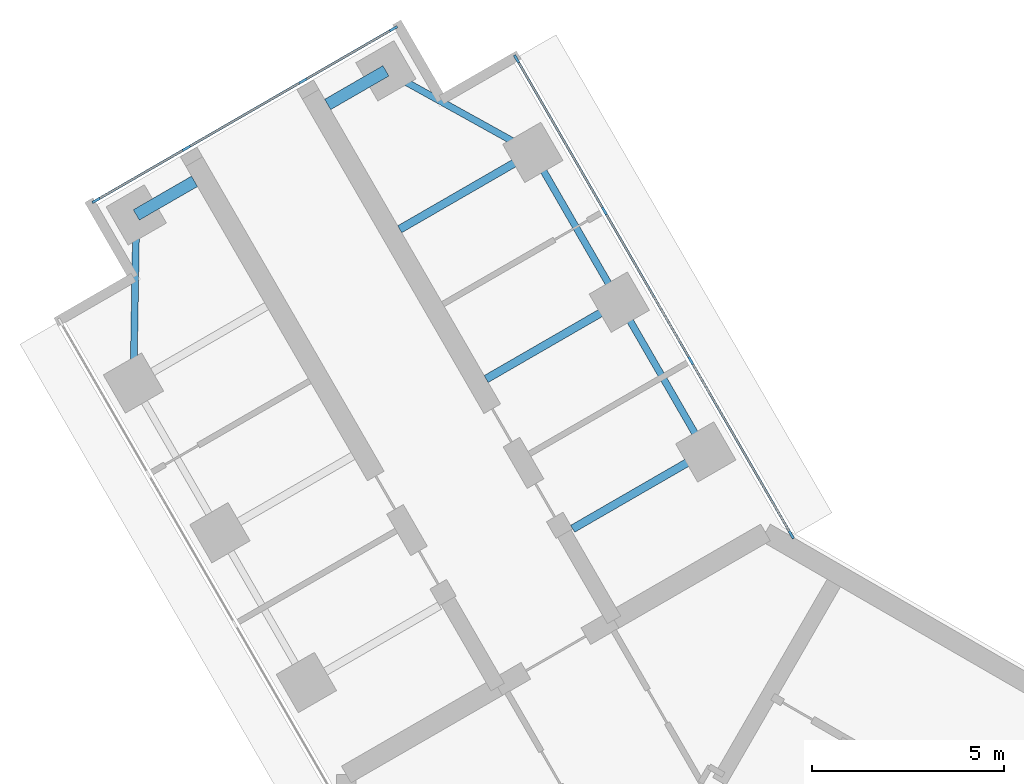
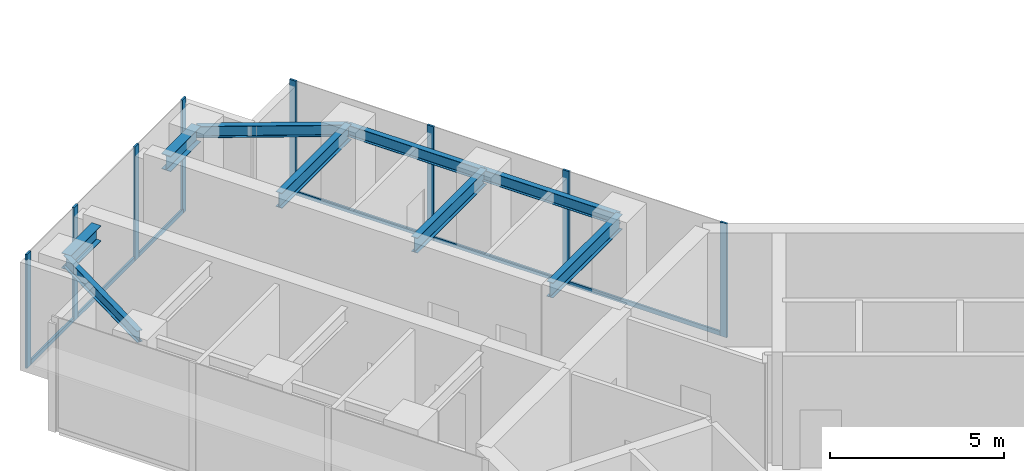
# One storey, part 6 of 17: 14 members, 9 beams, 2 elements without a shape of their own.
"""IFC4 building model written with IfcOpenShell, lengths in metres."""

from ifc_helpers import new_model, si_unit, direction, frame, origin, origin_2d, place, context, subcontext, project, spatial, rectangle, i_section, extrude, material, material_profile, profile_set, type_object, element, aggregate, save


model = new_model("IFC4")

# Units and contexts
model_context = context("Model", 3, precision=1e-05, world=origin(), true_north=direction((0.0, 1.0)))
body_context = subcontext(model_context, "Body", "Model", "MODEL_VIEW")
ifc_project = project(units=[si_unit("LENGTHUNIT", "METRE"), si_unit("AREAUNIT", "SQUARE_METRE"), si_unit("VOLUMEUNIT", "CUBIC_METRE"), si_unit("PLANEANGLEUNIT", "RADIAN"), si_unit("MASSUNIT", "GRAM", prefix="KILO")], contexts=[model_context])

# Site, building, storey
site_placement = place(None, origin())
site = spatial("IfcSite", under=ifc_project, at=site_placement, CompositionType="ELEMENT")
building_placement = place(site_placement, origin())
building = spatial("IfcBuilding", under=site, at=building_placement, Name="Upepo Twin Towers", CompositionType="ELEMENT")
storey_placement = place(building_placement, frame((0.0, 0.0, 202.5)))
storey = spatial("IfcBuildingStorey", under=building, at=storey_placement, Name="L49", CompositionType="ELEMENT", Elevation=202.5)

# Beams
ifc_material_1 = material(Name="Steel S355", Category="steel")
ifc_material_profile_1 = material_profile(ifc_material_1, i_section(OverallWidth=0.177978515625, OverallDepth=0.406494140625, WebThickness=0.0078125, FlangeThickness=0.0126953125, FilletRadius=0.01025390625, at=origin_2d()), Name="UB 406x178x60")
ifc_profile_set_1 = profile_set([ifc_material_profile_1], Name="Steel S355")
beam_type_1 = type_object("IfcBeamType", Name="Beam UB 406x178x60", PredefinedType="BEAM", material=ifc_profile_set_1)
beam_1_placement = place(storey_placement, frame((-16.446044921875, 16.485595703125, 3.5966796875), z_axis=(0.016803880528, 0.999858804832, 0.0), x_axis=(-0.999858804832, 0.016803880528, 0.0)))
element("IfcBeam", 1, at=beam_1_placement, inside=storey, type_object=beam_type_1, Name="T1 nose edge beam BL", PredefinedType="BEAM", context=body_context, shape_type="SweptSolid", body=[
    extrude(i_section(OverallWidth=0.177978515625, OverallDepth=0.406494140625, WebThickness=0.0078125, FlangeThickness=0.0126953125, FilletRadius=0.01025390625, at=origin_2d()), origin(), (0.0, 0.0, 1.0), 4.373291015625),
])
beam_2_placement = place(storey_placement, frame((-1.553955078125, 14.69140625, 3.5966796875), z_axis=(-0.500013631625, 0.866017533419, 0.0), x_axis=(-0.866017533419, -0.500013631625, 0.0)))
element("IfcBeam", 2, at=beam_2_placement, inside=storey, type_object=beam_type_1, Name="T1 edge beam BR 13.5-18.0", PredefinedType="BEAM", context=body_context, shape_type="SweptSolid", body=[
    extrude(i_section(OverallWidth=0.177978515625, OverallDepth=0.406494140625, WebThickness=0.0078125, FlangeThickness=0.0126953125, FilletRadius=0.01025390625, at=origin_2d()), origin(), (0.0, 0.0, 1.0), 4.499755859375),
])
beam_3_placement = place(storey_placement, frame((-3.803955078125, 18.58837890625, 3.5966796875), z_axis=(-0.499990139034, 0.866031096941, 0.0), x_axis=(-0.866031096941, -0.499990139034, 0.0)))
element("IfcBeam", 3, at=beam_3_placement, inside=storey, type_object=beam_type_1, Name="T1 edge beam BR 18.0-22.5", PredefinedType="BEAM", context=body_context, shape_type="SweptSolid", body=[
    extrude(i_section(OverallWidth=0.177978515625, OverallDepth=0.406494140625, WebThickness=0.0078125, FlangeThickness=0.0126953125, FilletRadius=0.01025390625, at=origin_2d()), origin(), (0.0, 0.0, 1.0), 4.5),
])
beam_4_placement = place(storey_placement, frame((-6.053955078125, 22.485595703125, 3.5966796875), z_axis=(-0.874312600038, 0.485363242752, 0.0), x_axis=(-0.485363242752, -0.874312600038, 0.0)))
element("IfcBeam", 4, at=beam_4_placement, inside=storey, type_object=beam_type_1, Name="T1 nose edge beam BR", PredefinedType="BEAM", context=body_context, shape_type="SweptSolid", body=[
    extrude(i_section(OverallWidth=0.177978515625, OverallDepth=0.406494140625, WebThickness=0.0078125, FlangeThickness=0.0126953125, FilletRadius=0.01025390625, at=origin_2d()), origin(), (0.0, 0.0, 1.0), 4.373046875),
])
ifc_material_2 = material(Name="Steel S355", Category="steel")
ifc_material_profile_2 = material_profile(ifc_material_2, i_section(OverallWidth=0.209228515625, OverallDepth=0.533203125, WebThickness=0.010009765625, FlangeThickness=0.015625, FilletRadius=0.0126953125, at=origin_2d()), Name="UB 533x210x92")
ifc_profile_set_2 = profile_set([ifc_material_profile_2], Name="Steel S355")
beam_type_2 = type_object("IfcBeamType", Name="Beam UB 533x210x92", PredefinedType="BEAM", material=ifc_profile_set_2)
for number, where, z_axis, x_axis, name in (
    (5, (-1.553955078125, 14.69140625, 3.533447265625), (-0.866026010844, -0.49999894854, 0.0), (0.49999894854, -0.866026010844, 0.0), "T1 girder BR at 13.5"),
    (6, (-3.803955078125, 18.58837890625, 3.533447265625), (-0.866026010844, -0.49999894854, 0.0), (0.49999894854, -0.866026010844, 0.0), "T1 girder BR at 18.0"),
    (7, (-6.053955078125, 22.485595703125, 3.533447265625), (-0.866026010844, -0.49999894854, 0.0), (0.49999894854, -0.866026010844, 0.0), "T1 girder BR at 22.5"),
):
    element("IfcBeam", number, at=place(storey_placement, frame(where, z_axis=z_axis, x_axis=x_axis)), inside=storey, type_object=beam_type_2, Name=name, PredefinedType="BEAM", context=body_context, shape_type="SweptSolid", body=[
        extrude(i_section(OverallWidth=0.209228515625, OverallDepth=0.533203125, WebThickness=0.010009765625, FlangeThickness=0.015625, FilletRadius=0.0126953125, at=origin_2d()), origin(), (0.0, 0.0, 1.0), 4.0),
    ])
ifc_material_3 = material(Name="Steel S355", Category="steel")
ifc_material_profile_3 = material_profile(ifc_material_3, i_section(OverallWidth=0.31201171875, OverallDepth=0.54345703125, WebThickness=0.0126953125, FlangeThickness=0.020263671875, FilletRadius=0.0126953125, at=origin_2d()), Name="UB 533x312x150")
ifc_profile_set_3 = profile_set([ifc_material_profile_3], Name="Steel S355")
beam_type_3 = type_object("IfcBeamType", Name="Beam UB 533x312x150", PredefinedType="BEAM", material=ifc_profile_set_3)
for number, where, z_axis, x_axis, name in (
    (8, (-16.37255859375, 20.858154296875, 3.5283203125), (0.866036909293, 0.499980071345, 0.0), (-0.499980071345, 0.866036909293, 0.0), "T1 nose beam BL"),
    (9, (-9.87744140625, 24.608154296875, 3.5283203125), (-0.866036909293, -0.499980071345, 0.0), (0.499980071345, -0.866036909293, 0.0), "T1 nose beam BR"),
):
    element("IfcBeam", number, at=place(storey_placement, frame(where, z_axis=z_axis, x_axis=x_axis)), inside=storey, type_object=beam_type_3, Name=name, PredefinedType="BEAM", context=body_context, shape_type="SweptSolid", body=[
        extrude(i_section(OverallWidth=0.31201171875, OverallDepth=0.54345703125, WebThickness=0.0126953125, FlangeThickness=0.020263671875, FilletRadius=0.0126953125, at=origin_2d()), origin(), (0.0, 0.0, 1.0), 1.75),
    ])

# Curtain wall, members
ifc_material_4 = material(Name="Aluminium and fritted glass", Category="aluminium")
curtain_wall_type = type_object("IfcCurtainWallType", Name="Tower curtain wall TW3, fritted glass", PredefinedType="NOTDEFINED", material=ifc_material_4)
curtain_wall_1_placement = place(storey_placement, origin())
curtain_wall_1 = element("IfcCurtainWall", 10, at=curtain_wall_1_placement, inside=storey, type_object=curtain_wall_type, Name="T1 L49 wing B flank R curtain wall", PredefinedType="NOTDEFINED")
ifc_material_5 = material(Name="Aluminium mullion", Category="aluminium")
ifc_material_profile_4 = material_profile(ifc_material_5, rectangle(XDim=0.06494140625, YDim=0.22509765625, at=origin_2d()), Name="MULLION 65x225")
ifc_profile_set_4 = profile_set([ifc_material_profile_4], Name="Aluminium mullion")
member_type_1 = type_object("IfcMemberType", Name="Mullion 65x225 TW3", PredefinedType="MULLION", material=ifc_profile_set_4)
member_1_placement = place(storey_placement, frame((-6.4765625, 24.91748046875, 0.0), z_axis=(0.0, 0.0, 1.0), x_axis=(0.866025388469, 0.500000026527, 0.0)))
member_1 = element("IfcMember", 11, at=member_1_placement, type_object=member_type_1, Name="T1 L49 wing B flank R curtain wall mullion 1", PredefinedType="MULLION", context=body_context, shape_type="SweptSolid", body=[
    extrude(rectangle(XDim=0.06494140625, YDim=0.22509765625, at=origin_2d()), origin(), (0.0, 0.0, 1.0), 4.0),
])
member_2_placement = place(storey_placement, frame((-4.192626953125, 20.9619140625, 0.0), z_axis=(0.0, 0.0, 1.0), x_axis=(0.866025388469, 0.500000026527, 0.0)))
member_2 = element("IfcMember", 12, at=member_2_placement, type_object=member_type_1, Name="T1 L49 wing B flank R curtain wall mullion 2", PredefinedType="MULLION", context=body_context, shape_type="SweptSolid", body=[
    extrude(rectangle(XDim=0.06494140625, YDim=0.22509765625, at=origin_2d()), origin(), (0.0, 0.0, 1.0), 4.0),
])
member_3_placement = place(storey_placement, frame((-1.942626953125, 17.06494140625, 0.0), z_axis=(0.0, 0.0, 1.0), x_axis=(0.866025388469, 0.500000026527, 0.0)))
member_3 = element("IfcMember", 13, at=member_3_placement, type_object=member_type_1, Name="T1 L49 wing B flank R curtain wall mullion 3", PredefinedType="MULLION", context=body_context, shape_type="SweptSolid", body=[
    extrude(rectangle(XDim=0.06494140625, YDim=0.22509765625, at=origin_2d()), origin(), (0.0, 0.0, 1.0), 4.0),
])
member_4_placement = place(storey_placement, frame((0.67236328125, 12.53515625, 0.0), z_axis=(0.0, 0.0, 1.0), x_axis=(0.866025388469, 0.500000026527, 0.0)))
member_4 = element("IfcMember", 14, at=member_4_placement, type_object=member_type_1, Name="T1 L49 wing B flank R curtain wall mullion 4", PredefinedType="MULLION", context=body_context, shape_type="SweptSolid", body=[
    extrude(rectangle(XDim=0.06494140625, YDim=0.22509765625, at=origin_2d()), origin(), (0.0, 0.0, 1.0), 4.0),
])

curtain_wall_2_placement = place(storey_placement, origin())
curtain_wall_2 = element("IfcCurtainWall", 15, at=curtain_wall_2_placement, inside=storey, type_object=curtain_wall_type, Name="T1 L49 wing B nose curtain wall", PredefinedType="NOTDEFINED")
member_5_placement = place(storey_placement, frame((-9.68115234375, 25.703125, 0.0), z_axis=(0.0, 0.0, 1.0), x_axis=(0.500000030502, -0.866025386174, 0.0)))
member_5 = element("IfcMember", 16, at=member_5_placement, type_object=member_type_1, Name="T1 L49 wing B nose curtain wall mullion 1", PredefinedType="MULLION", context=body_context, shape_type="SweptSolid", body=[
    extrude(rectangle(XDim=0.06494140625, YDim=0.22509765625, at=origin_2d()), origin(), (0.0, 0.0, 1.0), 4.0),
])
member_6_placement = place(storey_placement, frame((-12.034423828125, 24.34423828125, 0.0), z_axis=(0.0, 0.0, 1.0), x_axis=(0.500000030502, -0.866025386174, 0.0)))
member_6 = element("IfcMember", 17, at=member_6_placement, type_object=member_type_1, Name="T1 L49 wing B nose curtain wall mullion 2", PredefinedType="MULLION", context=body_context, shape_type="SweptSolid", body=[
    extrude(rectangle(XDim=0.06494140625, YDim=0.22509765625, at=origin_2d()), origin(), (0.0, 0.0, 1.0), 4.0),
])
member_7_placement = place(storey_placement, frame((-15.0654296875, 22.59423828125, 0.0), z_axis=(0.0, 0.0, 1.0), x_axis=(0.500000030502, -0.866025386174, 0.0)))
member_7 = element("IfcMember", 18, at=member_7_placement, type_object=member_type_1, Name="T1 L49 wing B nose curtain wall mullion 3", PredefinedType="MULLION", context=body_context, shape_type="SweptSolid", body=[
    extrude(rectangle(XDim=0.06494140625, YDim=0.22509765625, at=origin_2d()), origin(), (0.0, 0.0, 1.0), 4.0),
])
member_8_placement = place(storey_placement, frame((-17.4189453125, 21.235595703125, 0.0), z_axis=(0.0, 0.0, 1.0), x_axis=(0.500000030502, -0.866025386174, 0.0)))
member_8 = element("IfcMember", 19, at=member_8_placement, type_object=member_type_1, Name="T1 L49 wing B nose curtain wall mullion 4", PredefinedType="MULLION", context=body_context, shape_type="SweptSolid", body=[
    extrude(rectangle(XDim=0.06494140625, YDim=0.22509765625, at=origin_2d()), origin(), (0.0, 0.0, 1.0), 4.0),
])

# Member
ifc_material_6 = material(Name="Aluminium transom", Category="aluminium")
ifc_material_profile_5 = material_profile(ifc_material_6, rectangle(XDim=0.06494140625, YDim=0.14990234375, at=origin_2d()), Name="TRANSOM 65x150")
ifc_profile_set_5 = profile_set([ifc_material_profile_5], Name="Aluminium transom")
member_type_2 = type_object("IfcMemberType", Name="Transom 65x150 TW3", PredefinedType="USERDEFINED", material=ifc_profile_set_5)
member_9_placement = place(storey_placement, frame((-6.460205078125, 24.889404296875, 0.074951171875), z_axis=(0.500005646842, -0.866022143554, 0.0), x_axis=(0.866022143554, 0.500005646842, 0.0)))
member_9 = element("IfcMember", 20, at=member_9_placement, type_object=member_type_2, Name="T1 L49 wing B flank R curtain wall transom 1", ObjectType="TRANSOM", PredefinedType="USERDEFINED", context=body_context, shape_type="SweptSolid", body=[
    extrude(rectangle(XDim=0.06494140625, YDim=0.14990234375, at=origin_2d()), origin(), (0.0, 0.0, 1.0), 4.50244140625),
])

member_10_placement = place(storey_placement, frame((-4.176513671875, 20.933837890625, 0.074951171875), z_axis=(0.500005184116, -0.866022410713, 0.0), x_axis=(0.866022410713, 0.500005184116, 0.0)))
member_10 = element("IfcMember", 21, at=member_10_placement, type_object=member_type_2, Name="T1 L49 wing B flank R curtain wall transom 2", ObjectType="TRANSOM", PredefinedType="USERDEFINED", context=body_context, shape_type="SweptSolid", body=[
    extrude(rectangle(XDim=0.06494140625, YDim=0.14990234375, at=origin_2d()), origin(), (0.0, 0.0, 1.0), 4.43505859375),
])

member_11_placement = place(storey_placement, frame((-1.926513671875, 17.036865234375, 0.074951171875), z_axis=(0.500007480159, -0.86602108507, 0.0), x_axis=(0.86602108507, 0.500007480159, 0.0)))
member_11 = element("IfcMember", 22, at=member_11_placement, type_object=member_type_2, Name="T1 L49 wing B flank R curtain wall transom 3", ObjectType="TRANSOM", PredefinedType="USERDEFINED", context=body_context, shape_type="SweptSolid", body=[
    extrude(rectangle(XDim=0.06494140625, YDim=0.14990234375, at=origin_2d()), origin(), (0.0, 0.0, 1.0), 5.16552734375),
])

aggregate(curtain_wall_1, [member_1, member_2, member_3, member_4, member_9, member_10, member_11])

member_12_placement = place(storey_placement, frame((-9.709228515625, 25.686767578125, 0.074951171875), z_axis=(-0.866036909293, -0.499980071345, 0.0), x_axis=(0.499980071345, -0.866036909293, 0.0)))
member_12 = element("IfcMember", 23, at=member_12_placement, type_object=member_type_2, Name="T1 L49 wing B nose curtain wall transom 1", ObjectType="TRANSOM", PredefinedType="USERDEFINED", context=body_context, shape_type="SweptSolid", body=[
    extrude(rectangle(XDim=0.06494140625, YDim=0.14990234375, at=origin_2d()), origin(), (0.0, 0.0, 1.0), 2.65234375),
])

member_13_placement = place(storey_placement, frame((-12.0625, 24.328125, 0.074951171875), z_axis=(-0.866025804792, -0.499999305434, 0.0), x_axis=(0.499999305434, -0.866025804792, 0.0)))
member_13 = element("IfcMember", 24, at=member_13_placement, type_object=member_type_2, Name="T1 L49 wing B nose curtain wall transom 2", ObjectType="TRANSOM", PredefinedType="USERDEFINED", context=body_context, shape_type="SweptSolid", body=[
    extrude(rectangle(XDim=0.06494140625, YDim=0.14990234375, at=origin_2d()), origin(), (0.0, 0.0, 1.0), 3.43505859375),
])

member_14_placement = place(storey_placement, frame((-15.09375, 22.578125, 0.074951171875), z_axis=(-0.865997053448, -0.500049101008, 0.0), x_axis=(0.500049101008, -0.865997053448, 0.0)))
member_14 = element("IfcMember", 25, at=member_14_placement, type_object=member_type_2, Name="T1 L49 wing B nose curtain wall transom 3", ObjectType="TRANSOM", PredefinedType="USERDEFINED", context=body_context, shape_type="SweptSolid", body=[
    extrude(rectangle(XDim=0.06494140625, YDim=0.14990234375, at=origin_2d()), origin(), (0.0, 0.0, 1.0), 2.652587890625),
])

aggregate(curtain_wall_2, [member_5, member_6, member_7, member_8, member_12, member_13, member_14])

save(model, "model.ifc")
